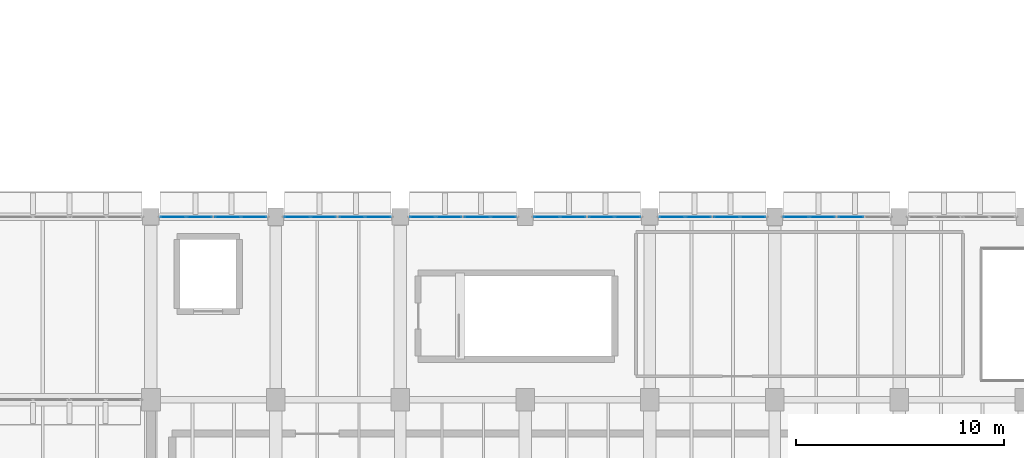
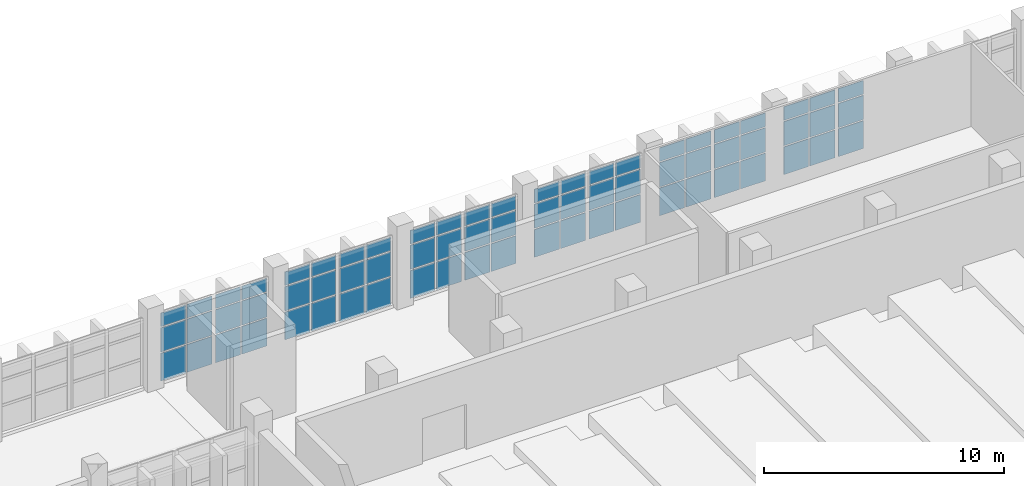
# One storey, part 53 of 76: 69 plates, 12 elements without a shape of their own.
"""IFC4 building model written with IfcOpenShell, lengths in metres."""

from ifc_helpers import new_model, si_unit, direction, frame, origin, origin_2d, place, context, subcontext, project, spatial, rectangle, extrude, material, layer, layer_set, type_object, element, aggregate, save


model = new_model("IFC4")

# Units and contexts
model_context = context("Model", 3, precision=1e-05, world=origin(), true_north=direction((0.0, 1.0)))
body_context = subcontext(model_context, "Body", "Model", "MODEL_VIEW")
ifc_project = project(units=[si_unit("LENGTHUNIT", "METRE"), si_unit("AREAUNIT", "SQUARE_METRE"), si_unit("VOLUMEUNIT", "CUBIC_METRE"), si_unit("PLANEANGLEUNIT", "RADIAN"), si_unit("MASSUNIT", "GRAM", prefix="KILO")], contexts=[model_context])

# Site, building, storey
site_placement = place(None, origin())
site = spatial("IfcSite", under=ifc_project, at=site_placement, CompositionType="ELEMENT")
building_placement = place(site_placement, origin())
building = spatial("IfcBuilding", under=site, at=building_placement, Name="Varnakota Cinema and Media Centre", CompositionType="ELEMENT")
storey_placement = place(building_placement, origin())
storey = spatial("IfcBuildingStorey", under=building, at=storey_placement, Name="L00", CompositionType="ELEMENT", Elevation=0.0)

# Curtain wall, plates
ifc_material_1 = material(Name="Thermally broken anodised aluminium AW-6063", Category="aluminium")
curtain_wall_type = type_object("IfcCurtainWallType", Name="CW-STD-259x358", PredefinedType="USERDEFINED", material=ifc_material_1)
curtain_wall_1_placement = place(storey_placement, origin())
curtain_wall_1 = element("IfcCurtainWall", 1, at=curtain_wall_1_placement, inside=storey, type_object=curtain_wall_type, Name="L00 curtain wall CW-L00-V1-N-01-1", ObjectType="UNITISED CURTAIN WALL", PredefinedType="USERDEFINED")
ifc_material_2 = material(Name="Laminated solar-control double glazing", Category="glass")
ifc_layer = layer(ifc_material_2, 0.028076171875)
ifc_layer_set = layer_set([ifc_layer], Name="Laminated solar-control double glazing")
plate_type = type_object("IfcPlateType", Name="CWP-DGU-28", PredefinedType="CURTAIN_PANEL", material=ifc_layer_set)
plate_1_placement = place(storey_placement, frame((76.064453125, 44.0, 0.06494140625), z_axis=(0.0, 0.0, 1.0), x_axis=(1.0, 0.0, 0.0)))
plate_1 = element("IfcPlate", 2, at=plate_1_placement, type_object=plate_type, Name="CW06 panel 1.1", PredefinedType="CURTAIN_PANEL", context=body_context, shape_type="SweptSolid", body=[
    extrude(rectangle(XDim=1.19873046875, YDim=0.028076171875, at=origin_2d()), origin(), (0.0, 0.0, 1.0), 1.408203125),
])
plate_2_placement = place(storey_placement, frame((76.064453125, 44.0, 1.5380859375), z_axis=(0.0, 0.0, 1.0), x_axis=(1.0, 0.0, 0.0)))
plate_2 = element("IfcPlate", 3, at=plate_2_placement, type_object=plate_type, Name="CW06 panel 1.2", PredefinedType="CURTAIN_PANEL", context=body_context, shape_type="SweptSolid", body=[
    extrude(rectangle(XDim=1.19873046875, YDim=0.028076171875, at=origin_2d()), origin(), (0.0, 0.0, 1.0), 1.2255859375),
])
plate_3_placement = place(storey_placement, frame((76.064453125, 44.0, 2.82861328125), z_axis=(0.0, 0.0, 1.0), x_axis=(1.0, 0.0, 0.0)))
plate_3 = element("IfcPlate", 4, at=plate_3_placement, type_object=plate_type, Name="CW06 panel 1.3", PredefinedType="CURTAIN_PANEL", context=body_context, shape_type="SweptSolid", body=[
    extrude(rectangle(XDim=1.19873046875, YDim=0.028076171875, at=origin_2d()), origin(), (0.0, 0.0, 1.0), 0.691162109375),
])
plate_4_placement = place(storey_placement, frame((77.328125, 44.0, 0.06494140625), z_axis=(0.0, 0.0, 1.0), x_axis=(1.0, 0.0, 0.0)))
plate_4 = element("IfcPlate", 5, at=plate_4_placement, type_object=plate_type, Name="CW06 panel 2.1", PredefinedType="CURTAIN_PANEL", context=body_context, shape_type="SweptSolid", body=[
    extrude(rectangle(XDim=1.19873046875, YDim=0.028076171875, at=origin_2d()), origin(), (0.0, 0.0, 1.0), 1.408203125),
])
plate_5_placement = place(storey_placement, frame((77.328125, 44.0, 1.5380859375), z_axis=(0.0, 0.0, 1.0), x_axis=(1.0, 0.0, 0.0)))
plate_5 = element("IfcPlate", 6, at=plate_5_placement, type_object=plate_type, Name="CW06 panel 2.2", PredefinedType="CURTAIN_PANEL", context=body_context, shape_type="SweptSolid", body=[
    extrude(rectangle(XDim=1.19873046875, YDim=0.028076171875, at=origin_2d()), origin(), (0.0, 0.0, 1.0), 1.2255859375),
])
plate_6_placement = place(storey_placement, frame((77.328125, 44.0, 2.82861328125), z_axis=(0.0, 0.0, 1.0), x_axis=(1.0, 0.0, 0.0)))
plate_6 = element("IfcPlate", 7, at=plate_6_placement, type_object=plate_type, Name="CW06 panel 2.3", PredefinedType="CURTAIN_PANEL", context=body_context, shape_type="SweptSolid", body=[
    extrude(rectangle(XDim=1.19873046875, YDim=0.028076171875, at=origin_2d()), origin(), (0.0, 0.0, 1.0), 0.691162109375),
])
aggregate(curtain_wall_1, [plate_1, plate_2, plate_3, plate_4, plate_5, plate_6])

curtain_wall_2_placement = place(storey_placement, origin())
curtain_wall_2 = element("IfcCurtainWall", 8, at=curtain_wall_2_placement, inside=storey, type_object=curtain_wall_type, Name="L00 curtain wall CW-L00-V1-N-01-2", ObjectType="UNITISED CURTAIN WALL", PredefinedType="USERDEFINED")
plate_7_placement = place(storey_placement, frame((78.69677734375, 44.0, 0.06494140625), z_axis=(0.0, 0.0, 1.0), x_axis=(1.0, 0.0, 0.0)))
plate_7 = element("IfcPlate", 9, at=plate_7_placement, type_object=plate_type, Name="CW06 panel 1.1", PredefinedType="CURTAIN_PANEL", context=body_context, shape_type="SweptSolid", body=[
    extrude(rectangle(XDim=1.19873046875, YDim=0.028076171875, at=origin_2d()), origin(), (0.0, 0.0, 1.0), 1.408203125),
])
plate_8_placement = place(storey_placement, frame((78.69677734375, 44.0, 1.5380859375), z_axis=(0.0, 0.0, 1.0), x_axis=(1.0, 0.0, 0.0)))
plate_8 = element("IfcPlate", 10, at=plate_8_placement, type_object=plate_type, Name="CW06 panel 1.2", PredefinedType="CURTAIN_PANEL", context=body_context, shape_type="SweptSolid", body=[
    extrude(rectangle(XDim=1.19873046875, YDim=0.028076171875, at=origin_2d()), origin(), (0.0, 0.0, 1.0), 1.2255859375),
])
plate_9_placement = place(storey_placement, frame((78.69677734375, 44.0, 2.82861328125), z_axis=(0.0, 0.0, 1.0), x_axis=(1.0, 0.0, 0.0)))
plate_9 = element("IfcPlate", 11, at=plate_9_placement, type_object=plate_type, Name="CW06 panel 1.3", PredefinedType="CURTAIN_PANEL", context=body_context, shape_type="SweptSolid", body=[
    extrude(rectangle(XDim=1.19873046875, YDim=0.028076171875, at=origin_2d()), origin(), (0.0, 0.0, 1.0), 0.691162109375),
])
plate_10_placement = place(storey_placement, frame((79.960693359375, 44.0, 0.06494140625), z_axis=(0.0, 0.0, 1.0), x_axis=(1.0, 0.0, 0.0)))
plate_10 = element("IfcPlate", 12, at=plate_10_placement, type_object=plate_type, Name="CW06 panel 2.1", PredefinedType="CURTAIN_PANEL", context=body_context, shape_type="SweptSolid", body=[
    extrude(rectangle(XDim=1.19873046875, YDim=0.028076171875, at=origin_2d()), origin(), (0.0, 0.0, 1.0), 1.408203125),
])
plate_11_placement = place(storey_placement, frame((79.960693359375, 44.0, 1.5380859375), z_axis=(0.0, 0.0, 1.0), x_axis=(1.0, 0.0, 0.0)))
plate_11 = element("IfcPlate", 13, at=plate_11_placement, type_object=plate_type, Name="CW06 panel 2.2", PredefinedType="CURTAIN_PANEL", context=body_context, shape_type="SweptSolid", body=[
    extrude(rectangle(XDim=1.19873046875, YDim=0.028076171875, at=origin_2d()), origin(), (0.0, 0.0, 1.0), 1.2255859375),
])
plate_12_placement = place(storey_placement, frame((79.960693359375, 44.0, 2.82861328125), z_axis=(0.0, 0.0, 1.0), x_axis=(1.0, 0.0, 0.0)))
plate_12 = element("IfcPlate", 14, at=plate_12_placement, type_object=plate_type, Name="CW06 panel 2.3", PredefinedType="CURTAIN_PANEL", context=body_context, shape_type="SweptSolid", body=[
    extrude(rectangle(XDim=1.19873046875, YDim=0.028076171875, at=origin_2d()), origin(), (0.0, 0.0, 1.0), 0.691162109375),
])
aggregate(curtain_wall_2, [plate_7, plate_8, plate_9, plate_10, plate_11, plate_12])

curtain_wall_3_placement = place(storey_placement, origin())
curtain_wall_3 = element("IfcCurtainWall", 15, at=curtain_wall_3_placement, inside=storey, type_object=curtain_wall_type, Name="L00 curtain wall CW-L00-V1-N-02-1", ObjectType="UNITISED CURTAIN WALL", PredefinedType="USERDEFINED")
plate_13_placement = place(storey_placement, frame((82.039306640625, 44.0, 0.06494140625), z_axis=(0.0, 0.0, 1.0), x_axis=(1.0, 0.0, 0.0)))
plate_13 = element("IfcPlate", 16, at=plate_13_placement, type_object=plate_type, Name="CW06 panel 1.1", PredefinedType="CURTAIN_PANEL", context=body_context, shape_type="SweptSolid", body=[
    extrude(rectangle(XDim=1.19873046875, YDim=0.028076171875, at=origin_2d()), origin(), (0.0, 0.0, 1.0), 1.408203125),
])
plate_14_placement = place(storey_placement, frame((82.039306640625, 44.0, 1.5380859375), z_axis=(0.0, 0.0, 1.0), x_axis=(1.0, 0.0, 0.0)))
plate_14 = element("IfcPlate", 17, at=plate_14_placement, type_object=plate_type, Name="CW06 panel 1.2", PredefinedType="CURTAIN_PANEL", context=body_context, shape_type="SweptSolid", body=[
    extrude(rectangle(XDim=1.19873046875, YDim=0.028076171875, at=origin_2d()), origin(), (0.0, 0.0, 1.0), 1.2255859375),
])
plate_15_placement = place(storey_placement, frame((82.039306640625, 44.0, 2.82861328125), z_axis=(0.0, 0.0, 1.0), x_axis=(1.0, 0.0, 0.0)))
plate_15 = element("IfcPlate", 18, at=plate_15_placement, type_object=plate_type, Name="CW06 panel 1.3", PredefinedType="CURTAIN_PANEL", context=body_context, shape_type="SweptSolid", body=[
    extrude(rectangle(XDim=1.19873046875, YDim=0.028076171875, at=origin_2d()), origin(), (0.0, 0.0, 1.0), 0.691162109375),
])
plate_16_placement = place(storey_placement, frame((83.30322265625, 44.0, 0.06494140625), z_axis=(0.0, 0.0, 1.0), x_axis=(1.0, 0.0, 0.0)))
plate_16 = element("IfcPlate", 19, at=plate_16_placement, type_object=plate_type, Name="CW06 panel 2.1", PredefinedType="CURTAIN_PANEL", context=body_context, shape_type="SweptSolid", body=[
    extrude(rectangle(XDim=1.19873046875, YDim=0.028076171875, at=origin_2d()), origin(), (0.0, 0.0, 1.0), 1.408203125),
])
plate_17_placement = place(storey_placement, frame((83.30322265625, 44.0, 1.5380859375), z_axis=(0.0, 0.0, 1.0), x_axis=(1.0, 0.0, 0.0)))
plate_17 = element("IfcPlate", 20, at=plate_17_placement, type_object=plate_type, Name="CW06 panel 2.2", PredefinedType="CURTAIN_PANEL", context=body_context, shape_type="SweptSolid", body=[
    extrude(rectangle(XDim=1.19873046875, YDim=0.028076171875, at=origin_2d()), origin(), (0.0, 0.0, 1.0), 1.2255859375),
])
plate_18_placement = place(storey_placement, frame((83.30322265625, 44.0, 2.82861328125), z_axis=(0.0, 0.0, 1.0), x_axis=(1.0, 0.0, 0.0)))
plate_18 = element("IfcPlate", 21, at=plate_18_placement, type_object=plate_type, Name="CW06 panel 2.3", PredefinedType="CURTAIN_PANEL", context=body_context, shape_type="SweptSolid", body=[
    extrude(rectangle(XDim=1.19873046875, YDim=0.028076171875, at=origin_2d()), origin(), (0.0, 0.0, 1.0), 0.691162109375),
])
aggregate(curtain_wall_3, [plate_13, plate_14, plate_15, plate_16, plate_17, plate_18])

curtain_wall_4_placement = place(storey_placement, origin())
curtain_wall_4 = element("IfcCurtainWall", 22, at=curtain_wall_4_placement, inside=storey, type_object=curtain_wall_type, Name="L00 curtain wall CW-L00-V1-N-02-2", ObjectType="UNITISED CURTAIN WALL", PredefinedType="USERDEFINED")
plate_19_placement = place(storey_placement, frame((84.671875, 44.0, 0.06494140625), z_axis=(0.0, 0.0, 1.0), x_axis=(1.0, 0.0, 0.0)))
plate_19 = element("IfcPlate", 23, at=plate_19_placement, type_object=plate_type, Name="CW06 panel 1.1", PredefinedType="CURTAIN_PANEL", context=body_context, shape_type="SweptSolid", body=[
    extrude(rectangle(XDim=1.19873046875, YDim=0.028076171875, at=origin_2d()), origin(), (0.0, 0.0, 1.0), 1.408203125),
])
plate_20_placement = place(storey_placement, frame((84.671875, 44.0, 1.5380859375), z_axis=(0.0, 0.0, 1.0), x_axis=(1.0, 0.0, 0.0)))
plate_20 = element("IfcPlate", 24, at=plate_20_placement, type_object=plate_type, Name="CW06 panel 1.2", PredefinedType="CURTAIN_PANEL", context=body_context, shape_type="SweptSolid", body=[
    extrude(rectangle(XDim=1.19873046875, YDim=0.028076171875, at=origin_2d()), origin(), (0.0, 0.0, 1.0), 1.2255859375),
])
plate_21_placement = place(storey_placement, frame((84.671875, 44.0, 2.82861328125), z_axis=(0.0, 0.0, 1.0), x_axis=(1.0, 0.0, 0.0)))
plate_21 = element("IfcPlate", 25, at=plate_21_placement, type_object=plate_type, Name="CW06 panel 1.3", PredefinedType="CURTAIN_PANEL", context=body_context, shape_type="SweptSolid", body=[
    extrude(rectangle(XDim=1.19873046875, YDim=0.028076171875, at=origin_2d()), origin(), (0.0, 0.0, 1.0), 0.691162109375),
])
plate_22_placement = place(storey_placement, frame((85.935546875, 44.0, 0.06494140625), z_axis=(0.0, 0.0, 1.0), x_axis=(1.0, 0.0, 0.0)))
plate_22 = element("IfcPlate", 26, at=plate_22_placement, type_object=plate_type, Name="CW06 panel 2.1", PredefinedType="CURTAIN_PANEL", context=body_context, shape_type="SweptSolid", body=[
    extrude(rectangle(XDim=1.19873046875, YDim=0.028076171875, at=origin_2d()), origin(), (0.0, 0.0, 1.0), 1.408203125),
])
plate_23_placement = place(storey_placement, frame((85.935546875, 44.0, 1.5380859375), z_axis=(0.0, 0.0, 1.0), x_axis=(1.0, 0.0, 0.0)))
plate_23 = element("IfcPlate", 27, at=plate_23_placement, type_object=plate_type, Name="CW06 panel 2.2", PredefinedType="CURTAIN_PANEL", context=body_context, shape_type="SweptSolid", body=[
    extrude(rectangle(XDim=1.19873046875, YDim=0.028076171875, at=origin_2d()), origin(), (0.0, 0.0, 1.0), 1.2255859375),
])
plate_24_placement = place(storey_placement, frame((85.935546875, 44.0, 2.82861328125), z_axis=(0.0, 0.0, 1.0), x_axis=(1.0, 0.0, 0.0)))
plate_24 = element("IfcPlate", 28, at=plate_24_placement, type_object=plate_type, Name="CW06 panel 2.3", PredefinedType="CURTAIN_PANEL", context=body_context, shape_type="SweptSolid", body=[
    extrude(rectangle(XDim=1.19873046875, YDim=0.028076171875, at=origin_2d()), origin(), (0.0, 0.0, 1.0), 0.691162109375),
])
aggregate(curtain_wall_4, [plate_19, plate_20, plate_21, plate_22, plate_23, plate_24])

curtain_wall_5_placement = place(storey_placement, origin())
curtain_wall_5 = element("IfcCurtainWall", 29, at=curtain_wall_5_placement, inside=storey, type_object=curtain_wall_type, Name="L00 curtain wall CW-L00-V1-N-03-1", ObjectType="UNITISED CURTAIN WALL", PredefinedType="USERDEFINED")
plate_25_placement = place(storey_placement, frame((88.064453125, 44.0, 0.06494140625), z_axis=(0.0, 0.0, 1.0), x_axis=(1.0, 0.0, 0.0)))
plate_25 = element("IfcPlate", 30, at=plate_25_placement, type_object=plate_type, Name="CW06 panel 1.1", PredefinedType="CURTAIN_PANEL", context=body_context, shape_type="SweptSolid", body=[
    extrude(rectangle(XDim=1.19873046875, YDim=0.028076171875, at=origin_2d()), origin(), (0.0, 0.0, 1.0), 1.408203125),
])
plate_26_placement = place(storey_placement, frame((88.064453125, 44.0, 1.5380859375), z_axis=(0.0, 0.0, 1.0), x_axis=(1.0, 0.0, 0.0)))
plate_26 = element("IfcPlate", 31, at=plate_26_placement, type_object=plate_type, Name="CW06 panel 1.2", PredefinedType="CURTAIN_PANEL", context=body_context, shape_type="SweptSolid", body=[
    extrude(rectangle(XDim=1.19873046875, YDim=0.028076171875, at=origin_2d()), origin(), (0.0, 0.0, 1.0), 1.2255859375),
])
plate_27_placement = place(storey_placement, frame((88.064453125, 44.0, 2.82861328125), z_axis=(0.0, 0.0, 1.0), x_axis=(1.0, 0.0, 0.0)))
plate_27 = element("IfcPlate", 32, at=plate_27_placement, type_object=plate_type, Name="CW06 panel 1.3", PredefinedType="CURTAIN_PANEL", context=body_context, shape_type="SweptSolid", body=[
    extrude(rectangle(XDim=1.19873046875, YDim=0.028076171875, at=origin_2d()), origin(), (0.0, 0.0, 1.0), 0.691162109375),
])
plate_28_placement = place(storey_placement, frame((89.328125, 44.0, 0.06494140625), z_axis=(0.0, 0.0, 1.0), x_axis=(1.0, 0.0, 0.0)))
plate_28 = element("IfcPlate", 33, at=plate_28_placement, type_object=plate_type, Name="CW06 panel 2.1", PredefinedType="CURTAIN_PANEL", context=body_context, shape_type="SweptSolid", body=[
    extrude(rectangle(XDim=1.19873046875, YDim=0.028076171875, at=origin_2d()), origin(), (0.0, 0.0, 1.0), 1.408203125),
])
plate_29_placement = place(storey_placement, frame((89.328125, 44.0, 1.5380859375), z_axis=(0.0, 0.0, 1.0), x_axis=(1.0, 0.0, 0.0)))
plate_29 = element("IfcPlate", 34, at=plate_29_placement, type_object=plate_type, Name="CW06 panel 2.2", PredefinedType="CURTAIN_PANEL", context=body_context, shape_type="SweptSolid", body=[
    extrude(rectangle(XDim=1.19873046875, YDim=0.028076171875, at=origin_2d()), origin(), (0.0, 0.0, 1.0), 1.2255859375),
])
plate_30_placement = place(storey_placement, frame((89.328125, 44.0, 2.82861328125), z_axis=(0.0, 0.0, 1.0), x_axis=(1.0, 0.0, 0.0)))
plate_30 = element("IfcPlate", 35, at=plate_30_placement, type_object=plate_type, Name="CW06 panel 2.3", PredefinedType="CURTAIN_PANEL", context=body_context, shape_type="SweptSolid", body=[
    extrude(rectangle(XDim=1.19873046875, YDim=0.028076171875, at=origin_2d()), origin(), (0.0, 0.0, 1.0), 0.691162109375),
])
aggregate(curtain_wall_5, [plate_25, plate_26, plate_27, plate_28, plate_29, plate_30])

curtain_wall_6_placement = place(storey_placement, origin())
curtain_wall_6 = element("IfcCurtainWall", 36, at=curtain_wall_6_placement, inside=storey, type_object=curtain_wall_type, Name="L00 curtain wall CW-L00-V1-N-03-2", ObjectType="UNITISED CURTAIN WALL", PredefinedType="USERDEFINED")
plate_31_placement = place(storey_placement, frame((90.69677734375, 44.0, 0.06494140625), z_axis=(0.0, 0.0, 1.0), x_axis=(1.0, 0.0, 0.0)))
plate_31 = element("IfcPlate", 37, at=plate_31_placement, type_object=plate_type, Name="CW06 panel 1.1", PredefinedType="CURTAIN_PANEL", context=body_context, shape_type="SweptSolid", body=[
    extrude(rectangle(XDim=1.19873046875, YDim=0.028076171875, at=origin_2d()), origin(), (0.0, 0.0, 1.0), 1.408203125),
])
plate_32_placement = place(storey_placement, frame((90.69677734375, 44.0, 1.5380859375), z_axis=(0.0, 0.0, 1.0), x_axis=(1.0, 0.0, 0.0)))
plate_32 = element("IfcPlate", 38, at=plate_32_placement, type_object=plate_type, Name="CW06 panel 1.2", PredefinedType="CURTAIN_PANEL", context=body_context, shape_type="SweptSolid", body=[
    extrude(rectangle(XDim=1.19873046875, YDim=0.028076171875, at=origin_2d()), origin(), (0.0, 0.0, 1.0), 1.2255859375),
])
plate_33_placement = place(storey_placement, frame((90.69677734375, 44.0, 2.82861328125), z_axis=(0.0, 0.0, 1.0), x_axis=(1.0, 0.0, 0.0)))
plate_33 = element("IfcPlate", 39, at=plate_33_placement, type_object=plate_type, Name="CW06 panel 1.3", PredefinedType="CURTAIN_PANEL", context=body_context, shape_type="SweptSolid", body=[
    extrude(rectangle(XDim=1.19873046875, YDim=0.028076171875, at=origin_2d()), origin(), (0.0, 0.0, 1.0), 0.691162109375),
])
plate_34_placement = place(storey_placement, frame((91.960693359375, 44.0, 0.06494140625), z_axis=(0.0, 0.0, 1.0), x_axis=(1.0, 0.0, 0.0)))
plate_34 = element("IfcPlate", 40, at=plate_34_placement, type_object=plate_type, Name="CW06 panel 2.1", PredefinedType="CURTAIN_PANEL", context=body_context, shape_type="SweptSolid", body=[
    extrude(rectangle(XDim=1.19873046875, YDim=0.028076171875, at=origin_2d()), origin(), (0.0, 0.0, 1.0), 1.408203125),
])
plate_35_placement = place(storey_placement, frame((91.960693359375, 44.0, 1.5380859375), z_axis=(0.0, 0.0, 1.0), x_axis=(1.0, 0.0, 0.0)))
plate_35 = element("IfcPlate", 41, at=plate_35_placement, type_object=plate_type, Name="CW06 panel 2.2", PredefinedType="CURTAIN_PANEL", context=body_context, shape_type="SweptSolid", body=[
    extrude(rectangle(XDim=1.19873046875, YDim=0.028076171875, at=origin_2d()), origin(), (0.0, 0.0, 1.0), 1.2255859375),
])
plate_36_placement = place(storey_placement, frame((91.960693359375, 44.0, 2.82861328125), z_axis=(0.0, 0.0, 1.0), x_axis=(1.0, 0.0, 0.0)))
plate_36 = element("IfcPlate", 42, at=plate_36_placement, type_object=plate_type, Name="CW06 panel 2.3", PredefinedType="CURTAIN_PANEL", context=body_context, shape_type="SweptSolid", body=[
    extrude(rectangle(XDim=1.19873046875, YDim=0.028076171875, at=origin_2d()), origin(), (0.0, 0.0, 1.0), 0.691162109375),
])
aggregate(curtain_wall_6, [plate_31, plate_32, plate_33, plate_34, plate_35, plate_36])

curtain_wall_7_placement = place(storey_placement, origin())
curtain_wall_7 = element("IfcCurtainWall", 43, at=curtain_wall_7_placement, inside=storey, type_object=curtain_wall_type, Name="L00 curtain wall CW-L00-V1-N-04-1", ObjectType="UNITISED CURTAIN WALL", PredefinedType="USERDEFINED")
plate_37_placement = place(storey_placement, frame((94.039306640625, 44.0, 0.06494140625), z_axis=(0.0, 0.0, 1.0), x_axis=(1.0, 0.0, 0.0)))
plate_37 = element("IfcPlate", 44, at=plate_37_placement, type_object=plate_type, Name="CW06 panel 1.1", PredefinedType="CURTAIN_PANEL", context=body_context, shape_type="SweptSolid", body=[
    extrude(rectangle(XDim=1.19873046875, YDim=0.028076171875, at=origin_2d()), origin(), (0.0, 0.0, 1.0), 1.408203125),
])
plate_38_placement = place(storey_placement, frame((94.039306640625, 44.0, 1.5380859375), z_axis=(0.0, 0.0, 1.0), x_axis=(1.0, 0.0, 0.0)))
plate_38 = element("IfcPlate", 45, at=plate_38_placement, type_object=plate_type, Name="CW06 panel 1.2", PredefinedType="CURTAIN_PANEL", context=body_context, shape_type="SweptSolid", body=[
    extrude(rectangle(XDim=1.19873046875, YDim=0.028076171875, at=origin_2d()), origin(), (0.0, 0.0, 1.0), 1.2255859375),
])
plate_39_placement = place(storey_placement, frame((94.039306640625, 44.0, 2.82861328125), z_axis=(0.0, 0.0, 1.0), x_axis=(1.0, 0.0, 0.0)))
plate_39 = element("IfcPlate", 46, at=plate_39_placement, type_object=plate_type, Name="CW06 panel 1.3", PredefinedType="CURTAIN_PANEL", context=body_context, shape_type="SweptSolid", body=[
    extrude(rectangle(XDim=1.19873046875, YDim=0.028076171875, at=origin_2d()), origin(), (0.0, 0.0, 1.0), 0.691162109375),
])
plate_40_placement = place(storey_placement, frame((95.30322265625, 44.0, 0.06494140625), z_axis=(0.0, 0.0, 1.0), x_axis=(1.0, 0.0, 0.0)))
plate_40 = element("IfcPlate", 47, at=plate_40_placement, type_object=plate_type, Name="CW06 panel 2.1", PredefinedType="CURTAIN_PANEL", context=body_context, shape_type="SweptSolid", body=[
    extrude(rectangle(XDim=1.19873046875, YDim=0.028076171875, at=origin_2d()), origin(), (0.0, 0.0, 1.0), 1.408203125),
])
plate_41_placement = place(storey_placement, frame((95.30322265625, 44.0, 1.5380859375), z_axis=(0.0, 0.0, 1.0), x_axis=(1.0, 0.0, 0.0)))
plate_41 = element("IfcPlate", 48, at=plate_41_placement, type_object=plate_type, Name="CW06 panel 2.2", PredefinedType="CURTAIN_PANEL", context=body_context, shape_type="SweptSolid", body=[
    extrude(rectangle(XDim=1.19873046875, YDim=0.028076171875, at=origin_2d()), origin(), (0.0, 0.0, 1.0), 1.2255859375),
])
plate_42_placement = place(storey_placement, frame((95.30322265625, 44.0, 2.82861328125), z_axis=(0.0, 0.0, 1.0), x_axis=(1.0, 0.0, 0.0)))
plate_42 = element("IfcPlate", 49, at=plate_42_placement, type_object=plate_type, Name="CW06 panel 2.3", PredefinedType="CURTAIN_PANEL", context=body_context, shape_type="SweptSolid", body=[
    extrude(rectangle(XDim=1.19873046875, YDim=0.028076171875, at=origin_2d()), origin(), (0.0, 0.0, 1.0), 0.691162109375),
])
aggregate(curtain_wall_7, [plate_37, plate_38, plate_39, plate_40, plate_41, plate_42])

curtain_wall_8_placement = place(storey_placement, origin())
curtain_wall_8 = element("IfcCurtainWall", 50, at=curtain_wall_8_placement, inside=storey, type_object=curtain_wall_type, Name="L00 curtain wall CW-L00-V1-N-04-2", ObjectType="UNITISED CURTAIN WALL", PredefinedType="USERDEFINED")
plate_43_placement = place(storey_placement, frame((96.671875, 44.0, 0.06494140625), z_axis=(0.0, 0.0, 1.0), x_axis=(1.0, 0.0, 0.0)))
plate_43 = element("IfcPlate", 51, at=plate_43_placement, type_object=plate_type, Name="CW06 panel 1.1", PredefinedType="CURTAIN_PANEL", context=body_context, shape_type="SweptSolid", body=[
    extrude(rectangle(XDim=1.19873046875, YDim=0.028076171875, at=origin_2d()), origin(), (0.0, 0.0, 1.0), 1.408203125),
])
plate_44_placement = place(storey_placement, frame((96.671875, 44.0, 1.5380859375), z_axis=(0.0, 0.0, 1.0), x_axis=(1.0, 0.0, 0.0)))
plate_44 = element("IfcPlate", 52, at=plate_44_placement, type_object=plate_type, Name="CW06 panel 1.2", PredefinedType="CURTAIN_PANEL", context=body_context, shape_type="SweptSolid", body=[
    extrude(rectangle(XDim=1.19873046875, YDim=0.028076171875, at=origin_2d()), origin(), (0.0, 0.0, 1.0), 1.2255859375),
])
plate_45_placement = place(storey_placement, frame((96.671875, 44.0, 2.82861328125), z_axis=(0.0, 0.0, 1.0), x_axis=(1.0, 0.0, 0.0)))
plate_45 = element("IfcPlate", 53, at=plate_45_placement, type_object=plate_type, Name="CW06 panel 1.3", PredefinedType="CURTAIN_PANEL", context=body_context, shape_type="SweptSolid", body=[
    extrude(rectangle(XDim=1.19873046875, YDim=0.028076171875, at=origin_2d()), origin(), (0.0, 0.0, 1.0), 0.691162109375),
])
plate_46_placement = place(storey_placement, frame((97.935546875, 44.0, 0.06494140625), z_axis=(0.0, 0.0, 1.0), x_axis=(1.0, 0.0, 0.0)))
plate_46 = element("IfcPlate", 54, at=plate_46_placement, type_object=plate_type, Name="CW06 panel 2.1", PredefinedType="CURTAIN_PANEL", context=body_context, shape_type="SweptSolid", body=[
    extrude(rectangle(XDim=1.19873046875, YDim=0.028076171875, at=origin_2d()), origin(), (0.0, 0.0, 1.0), 1.408203125),
])
plate_47_placement = place(storey_placement, frame((97.935546875, 44.0, 1.5380859375), z_axis=(0.0, 0.0, 1.0), x_axis=(1.0, 0.0, 0.0)))
plate_47 = element("IfcPlate", 55, at=plate_47_placement, type_object=plate_type, Name="CW06 panel 2.2", PredefinedType="CURTAIN_PANEL", context=body_context, shape_type="SweptSolid", body=[
    extrude(rectangle(XDim=1.19873046875, YDim=0.028076171875, at=origin_2d()), origin(), (0.0, 0.0, 1.0), 1.2255859375),
])
plate_48_placement = place(storey_placement, frame((97.935546875, 44.0, 2.82861328125), z_axis=(0.0, 0.0, 1.0), x_axis=(1.0, 0.0, 0.0)))
plate_48 = element("IfcPlate", 56, at=plate_48_placement, type_object=plate_type, Name="CW06 panel 2.3", PredefinedType="CURTAIN_PANEL", context=body_context, shape_type="SweptSolid", body=[
    extrude(rectangle(XDim=1.19873046875, YDim=0.028076171875, at=origin_2d()), origin(), (0.0, 0.0, 1.0), 0.691162109375),
])
aggregate(curtain_wall_8, [plate_43, plate_44, plate_45, plate_46, plate_47, plate_48])

curtain_wall_9_placement = place(storey_placement, origin())
curtain_wall_9 = element("IfcCurtainWall", 57, at=curtain_wall_9_placement, inside=storey, type_object=curtain_wall_type, Name="L00 curtain wall CW-L00-V1-N-05-1", ObjectType="UNITISED CURTAIN WALL", PredefinedType="USERDEFINED")
plate_49_placement = place(storey_placement, frame((100.064453125, 44.0, 0.06494140625), z_axis=(0.0, 0.0, 1.0), x_axis=(1.0, 0.0, 0.0)))
plate_49 = element("IfcPlate", 58, at=plate_49_placement, type_object=plate_type, Name="CW06 panel 1.1", PredefinedType="CURTAIN_PANEL", context=body_context, shape_type="SweptSolid", body=[
    extrude(rectangle(XDim=1.19873046875, YDim=0.028076171875, at=origin_2d()), origin(), (0.0, 0.0, 1.0), 1.408203125),
])
plate_50_placement = place(storey_placement, frame((100.064453125, 44.0, 1.5380859375), z_axis=(0.0, 0.0, 1.0), x_axis=(1.0, 0.0, 0.0)))
plate_50 = element("IfcPlate", 59, at=plate_50_placement, type_object=plate_type, Name="CW06 panel 1.2", PredefinedType="CURTAIN_PANEL", context=body_context, shape_type="SweptSolid", body=[
    extrude(rectangle(XDim=1.19873046875, YDim=0.028076171875, at=origin_2d()), origin(), (0.0, 0.0, 1.0), 1.2255859375),
])
plate_51_placement = place(storey_placement, frame((100.064453125, 44.0, 2.82861328125), z_axis=(0.0, 0.0, 1.0), x_axis=(1.0, 0.0, 0.0)))
plate_51 = element("IfcPlate", 60, at=plate_51_placement, type_object=plate_type, Name="CW06 panel 1.3", PredefinedType="CURTAIN_PANEL", context=body_context, shape_type="SweptSolid", body=[
    extrude(rectangle(XDim=1.19873046875, YDim=0.028076171875, at=origin_2d()), origin(), (0.0, 0.0, 1.0), 0.691162109375),
])
plate_52_placement = place(storey_placement, frame((101.328125, 44.0, 0.06494140625), z_axis=(0.0, 0.0, 1.0), x_axis=(1.0, 0.0, 0.0)))
plate_52 = element("IfcPlate", 61, at=plate_52_placement, type_object=plate_type, Name="CW06 panel 2.1", PredefinedType="CURTAIN_PANEL", context=body_context, shape_type="SweptSolid", body=[
    extrude(rectangle(XDim=1.19873046875, YDim=0.028076171875, at=origin_2d()), origin(), (0.0, 0.0, 1.0), 1.408203125),
])
plate_53_placement = place(storey_placement, frame((101.328125, 44.0, 1.5380859375), z_axis=(0.0, 0.0, 1.0), x_axis=(1.0, 0.0, 0.0)))
plate_53 = element("IfcPlate", 62, at=plate_53_placement, type_object=plate_type, Name="CW06 panel 2.2", PredefinedType="CURTAIN_PANEL", context=body_context, shape_type="SweptSolid", body=[
    extrude(rectangle(XDim=1.19873046875, YDim=0.028076171875, at=origin_2d()), origin(), (0.0, 0.0, 1.0), 1.2255859375),
])
plate_54_placement = place(storey_placement, frame((101.328125, 44.0, 2.82861328125), z_axis=(0.0, 0.0, 1.0), x_axis=(1.0, 0.0, 0.0)))
plate_54 = element("IfcPlate", 63, at=plate_54_placement, type_object=plate_type, Name="CW06 panel 2.3", PredefinedType="CURTAIN_PANEL", context=body_context, shape_type="SweptSolid", body=[
    extrude(rectangle(XDim=1.19873046875, YDim=0.028076171875, at=origin_2d()), origin(), (0.0, 0.0, 1.0), 0.691162109375),
])
aggregate(curtain_wall_9, [plate_49, plate_50, plate_51, plate_52, plate_53, plate_54])

curtain_wall_10_placement = place(storey_placement, origin())
curtain_wall_10 = element("IfcCurtainWall", 64, at=curtain_wall_10_placement, inside=storey, type_object=curtain_wall_type, Name="L00 curtain wall CW-L00-V1-N-05-2", ObjectType="UNITISED CURTAIN WALL", PredefinedType="USERDEFINED")
plate_55_placement = place(storey_placement, frame((102.69677734375, 44.0, 0.06494140625), z_axis=(0.0, 0.0, 1.0), x_axis=(1.0, 0.0, 0.0)))
plate_55 = element("IfcPlate", 65, at=plate_55_placement, type_object=plate_type, Name="CW06 panel 1.1", PredefinedType="CURTAIN_PANEL", context=body_context, shape_type="SweptSolid", body=[
    extrude(rectangle(XDim=1.19873046875, YDim=0.028076171875, at=origin_2d()), origin(), (0.0, 0.0, 1.0), 1.408203125),
])
plate_56_placement = place(storey_placement, frame((102.69677734375, 44.0, 1.5380859375), z_axis=(0.0, 0.0, 1.0), x_axis=(1.0, 0.0, 0.0)))
plate_56 = element("IfcPlate", 66, at=plate_56_placement, type_object=plate_type, Name="CW06 panel 1.2", PredefinedType="CURTAIN_PANEL", context=body_context, shape_type="SweptSolid", body=[
    extrude(rectangle(XDim=1.19873046875, YDim=0.028076171875, at=origin_2d()), origin(), (0.0, 0.0, 1.0), 1.2255859375),
])
plate_57_placement = place(storey_placement, frame((102.69677734375, 44.0, 2.82861328125), z_axis=(0.0, 0.0, 1.0), x_axis=(1.0, 0.0, 0.0)))
plate_57 = element("IfcPlate", 67, at=plate_57_placement, type_object=plate_type, Name="CW06 panel 1.3", PredefinedType="CURTAIN_PANEL", context=body_context, shape_type="SweptSolid", body=[
    extrude(rectangle(XDim=1.19873046875, YDim=0.028076171875, at=origin_2d()), origin(), (0.0, 0.0, 1.0), 0.691162109375),
])
plate_58_placement = place(storey_placement, frame((103.960693359375, 44.0, 0.06494140625), z_axis=(0.0, 0.0, 1.0), x_axis=(1.0, 0.0, 0.0)))
plate_58 = element("IfcPlate", 68, at=plate_58_placement, type_object=plate_type, Name="CW06 panel 2.1", PredefinedType="CURTAIN_PANEL", context=body_context, shape_type="SweptSolid", body=[
    extrude(rectangle(XDim=1.19873046875, YDim=0.028076171875, at=origin_2d()), origin(), (0.0, 0.0, 1.0), 1.408203125),
])
plate_59_placement = place(storey_placement, frame((103.960693359375, 44.0, 1.5380859375), z_axis=(0.0, 0.0, 1.0), x_axis=(1.0, 0.0, 0.0)))
plate_59 = element("IfcPlate", 69, at=plate_59_placement, type_object=plate_type, Name="CW06 panel 2.2", PredefinedType="CURTAIN_PANEL", context=body_context, shape_type="SweptSolid", body=[
    extrude(rectangle(XDim=1.19873046875, YDim=0.028076171875, at=origin_2d()), origin(), (0.0, 0.0, 1.0), 1.2255859375),
])
plate_60_placement = place(storey_placement, frame((103.960693359375, 44.0, 2.82861328125), z_axis=(0.0, 0.0, 1.0), x_axis=(1.0, 0.0, 0.0)))
plate_60 = element("IfcPlate", 70, at=plate_60_placement, type_object=plate_type, Name="CW06 panel 2.3", PredefinedType="CURTAIN_PANEL", context=body_context, shape_type="SweptSolid", body=[
    extrude(rectangle(XDim=1.19873046875, YDim=0.028076171875, at=origin_2d()), origin(), (0.0, 0.0, 1.0), 0.691162109375),
])
aggregate(curtain_wall_10, [plate_55, plate_56, plate_57, plate_58, plate_59, plate_60])

curtain_wall_11_placement = place(storey_placement, origin())
curtain_wall_11 = element("IfcCurtainWall", 71, at=curtain_wall_11_placement, inside=storey, type_object=curtain_wall_type, Name="L00 curtain wall CW-L00-V1-N-06-1", ObjectType="UNITISED CURTAIN WALL", PredefinedType="USERDEFINED")
plate_61_placement = place(storey_placement, frame((106.039306640625, 44.0, 0.06494140625), z_axis=(0.0, 0.0, 1.0), x_axis=(1.0, 0.0, 0.0)))
plate_61 = element("IfcPlate", 72, at=plate_61_placement, type_object=plate_type, Name="CW06 panel 1.1", PredefinedType="CURTAIN_PANEL", context=body_context, shape_type="SweptSolid", body=[
    extrude(rectangle(XDim=1.19873046875, YDim=0.028076171875, at=origin_2d()), origin(), (0.0, 0.0, 1.0), 1.408203125),
])
plate_62_placement = place(storey_placement, frame((106.039306640625, 44.0, 1.5380859375), z_axis=(0.0, 0.0, 1.0), x_axis=(1.0, 0.0, 0.0)))
plate_62 = element("IfcPlate", 73, at=plate_62_placement, type_object=plate_type, Name="CW06 panel 1.2", PredefinedType="CURTAIN_PANEL", context=body_context, shape_type="SweptSolid", body=[
    extrude(rectangle(XDim=1.19873046875, YDim=0.028076171875, at=origin_2d()), origin(), (0.0, 0.0, 1.0), 1.2255859375),
])
plate_63_placement = place(storey_placement, frame((106.039306640625, 44.0, 2.82861328125), z_axis=(0.0, 0.0, 1.0), x_axis=(1.0, 0.0, 0.0)))
plate_63 = element("IfcPlate", 74, at=plate_63_placement, type_object=plate_type, Name="CW06 panel 1.3", PredefinedType="CURTAIN_PANEL", context=body_context, shape_type="SweptSolid", body=[
    extrude(rectangle(XDim=1.19873046875, YDim=0.028076171875, at=origin_2d()), origin(), (0.0, 0.0, 1.0), 0.691162109375),
])
plate_64_placement = place(storey_placement, frame((107.30322265625, 44.0, 0.06494140625), z_axis=(0.0, 0.0, 1.0), x_axis=(1.0, 0.0, 0.0)))
plate_64 = element("IfcPlate", 75, at=plate_64_placement, type_object=plate_type, Name="CW06 panel 2.1", PredefinedType="CURTAIN_PANEL", context=body_context, shape_type="SweptSolid", body=[
    extrude(rectangle(XDim=1.19873046875, YDim=0.028076171875, at=origin_2d()), origin(), (0.0, 0.0, 1.0), 1.408203125),
])
plate_65_placement = place(storey_placement, frame((107.30322265625, 44.0, 1.5380859375), z_axis=(0.0, 0.0, 1.0), x_axis=(1.0, 0.0, 0.0)))
plate_65 = element("IfcPlate", 76, at=plate_65_placement, type_object=plate_type, Name="CW06 panel 2.2", PredefinedType="CURTAIN_PANEL", context=body_context, shape_type="SweptSolid", body=[
    extrude(rectangle(XDim=1.19873046875, YDim=0.028076171875, at=origin_2d()), origin(), (0.0, 0.0, 1.0), 1.2255859375),
])
plate_66_placement = place(storey_placement, frame((107.30322265625, 44.0, 2.82861328125), z_axis=(0.0, 0.0, 1.0), x_axis=(1.0, 0.0, 0.0)))
plate_66 = element("IfcPlate", 77, at=plate_66_placement, type_object=plate_type, Name="CW06 panel 2.3", PredefinedType="CURTAIN_PANEL", context=body_context, shape_type="SweptSolid", body=[
    extrude(rectangle(XDim=1.19873046875, YDim=0.028076171875, at=origin_2d()), origin(), (0.0, 0.0, 1.0), 0.691162109375),
])
aggregate(curtain_wall_11, [plate_61, plate_62, plate_63, plate_64, plate_65, plate_66])

curtain_wall_12_placement = place(storey_placement, origin())
curtain_wall_12 = element("IfcCurtainWall", 78, at=curtain_wall_12_placement, inside=storey, type_object=curtain_wall_type, Name="L00 curtain wall CW-L00-V1-N-06-2", ObjectType="UNITISED CURTAIN WALL", PredefinedType="USERDEFINED")
plate_67_placement = place(storey_placement, frame((108.671875, 44.0, 0.06494140625), z_axis=(0.0, 0.0, 1.0), x_axis=(1.0, 0.0, 0.0)))
plate_67 = element("IfcPlate", 79, at=plate_67_placement, type_object=plate_type, Name="CW06 panel 1.1", PredefinedType="CURTAIN_PANEL", context=body_context, shape_type="SweptSolid", body=[
    extrude(rectangle(XDim=1.19873046875, YDim=0.028076171875, at=origin_2d()), origin(), (0.0, 0.0, 1.0), 1.408203125),
])
plate_68_placement = place(storey_placement, frame((108.671875, 44.0, 1.5380859375), z_axis=(0.0, 0.0, 1.0), x_axis=(1.0, 0.0, 0.0)))
plate_68 = element("IfcPlate", 80, at=plate_68_placement, type_object=plate_type, Name="CW06 panel 1.2", PredefinedType="CURTAIN_PANEL", context=body_context, shape_type="SweptSolid", body=[
    extrude(rectangle(XDim=1.19873046875, YDim=0.028076171875, at=origin_2d()), origin(), (0.0, 0.0, 1.0), 1.2255859375),
])
plate_69_placement = place(storey_placement, frame((108.671875, 44.0, 2.82861328125), z_axis=(0.0, 0.0, 1.0), x_axis=(1.0, 0.0, 0.0)))
plate_69 = element("IfcPlate", 81, at=plate_69_placement, type_object=plate_type, Name="CW06 panel 1.3", PredefinedType="CURTAIN_PANEL", context=body_context, shape_type="SweptSolid", body=[
    extrude(rectangle(XDim=1.19873046875, YDim=0.028076171875, at=origin_2d()), origin(), (0.0, 0.0, 1.0), 0.691162109375),
])
aggregate(curtain_wall_12, [plate_67, plate_68, plate_69])

save(model, "model.ifc")
